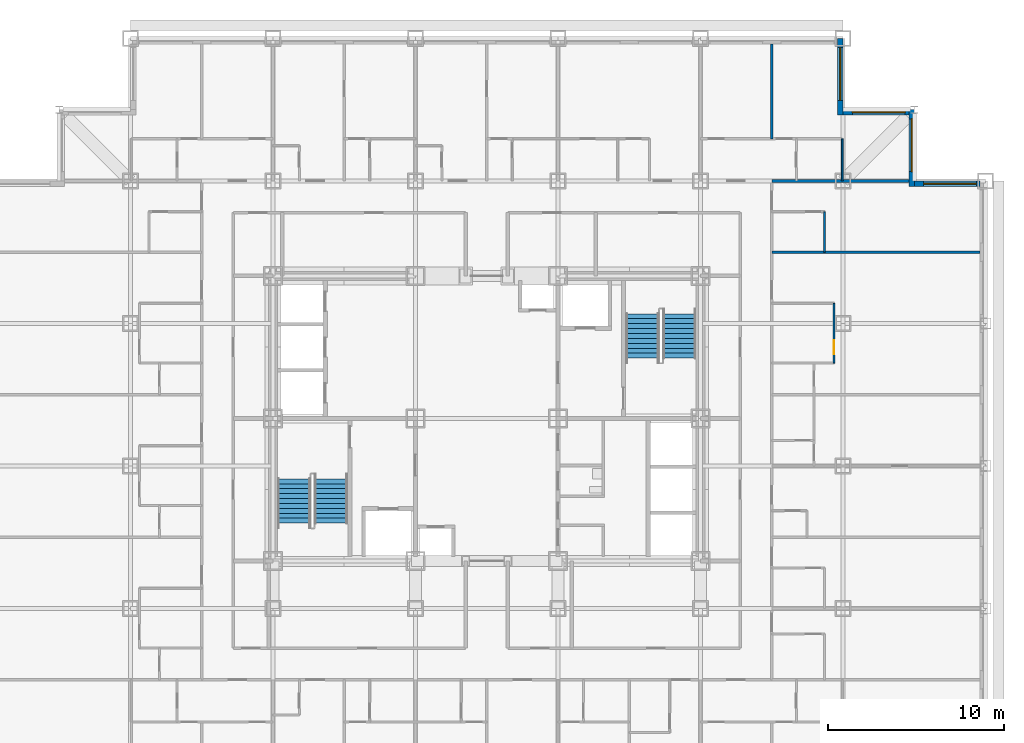
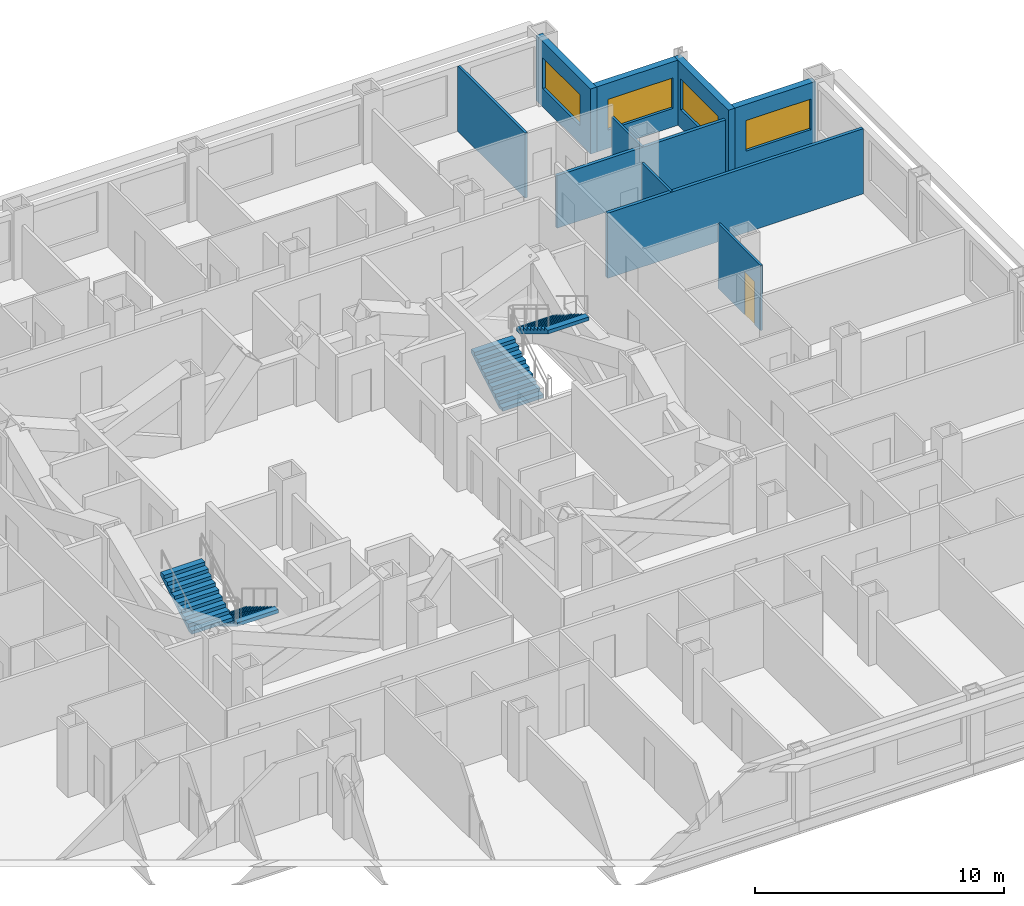
# One storey, part 11 of 13: 10 walls, 4 stair flights, 4 windows, 1 door, 5 openings, 2 elements without a shape of their own.
"""IFC4 building model written with IfcOpenShell, lengths in metres."""

import ifcopenshell
import ifcopenshell.guid

model = None  # the IFC model being written
_history = None  # IfcOwnerHistory: only IFC2X3 demands one
_inside = {}  # id of a spatial element -> (the spatial element, [elements in it])
_under = {}  # id of a project, library or spatial element -> (it, [spatial elements below it])
_declared = {}  # id of a project -> (the project, [libraries it declares])
_typed = {}  # id of a type object -> (the type object, [elements of that type])
_made_of = {}  # id of a material, layer set ... -> (it, [elements and type objects made of it])


def new_model(schema):
    """Start an empty IFC model of exactly this schema.

    Asked for "IFC4X3", IfcOpenShell would pick the latest addendum, in which some entities
    have other attributes; the version numbers below select the first issue.
    IFC2X3 requires an IfcOwnerHistory on every rooted entity: one is made here for all.
    """
    global model, _history
    if schema == "IFC4X3":
        model = ifcopenshell.file(schema_version=(4, 3, 0, 0))
    else:
        model = ifcopenshell.file(schema=schema)
    _inside.clear()
    _under.clear()
    _declared.clear()
    _typed.clear()
    _made_of.clear()
    _history = None
    if model.schema == "IFC2X3":
        org = make("IfcOrganization", Name="unknown")
        user = make(
            "IfcPersonAndOrganization",
            ThePerson=make("IfcPerson", FamilyName="unknown"),
            TheOrganization=org,
        )
        app = make(
            "IfcApplication",
            ApplicationDeveloper=org,
            Version="unknown",
            ApplicationFullName="unknown",
            ApplicationIdentifier="unknown",
        )
        _history = make(
            "IfcOwnerHistory",
            OwningUser=user,
            OwningApplication=app,
            ChangeAction="ADDED",
            CreationDate=0,
        )
    return model


def make(cls, **values):
    """One entity of the class cls with the attributes given. An attribute that is None is left unset."""
    return model.create_entity(
        cls, **{name: value for name, value in values.items() if value is not None}
    )


def rooted(cls, **values):
    """An entity with a GlobalId (a new one), such as an element, a storey or a relation."""
    return make(cls, GlobalId=ifcopenshell.guid.new(), OwnerHistory=_history, **values)


def si_unit(unit_type, name, prefix=None):
    """IfcSIUnit, for example si_unit("LENGTHUNIT", "METRE", prefix="MILLI")."""
    return make("IfcSIUnit", UnitType=unit_type, Prefix=prefix, Name=name)


def assignment(units):
    """IfcUnitAssignment: the units of a project."""
    return None if units is None else make("IfcUnitAssignment", Units=units)


def point(xyz):
    """IfcCartesianPoint."""
    return None if xyz is None else make("IfcCartesianPoint", Coordinates=xyz)


def direction(xyz):
    """IfcDirection."""
    return None if xyz is None else make("IfcDirection", DirectionRatios=xyz)


def frame(location, z_axis=None, x_axis=None):
    """IfcAxis2Placement3D, a coordinate frame: its origin and axes. An axis left out is left unset."""
    return make(
        "IfcAxis2Placement3D",
        Location=point(location),
        Axis=direction(z_axis),
        RefDirection=direction(x_axis),
    )


def frame_2d(location, x_axis=None):
    """IfcAxis2Placement2D, a coordinate frame in the plane: its origin and x axis."""
    return make(
        "IfcAxis2Placement2D", Location=point(location), RefDirection=direction(x_axis)
    )


def origin():
    """The frame at (0, 0, 0) with its axes left unset."""
    return frame((0.0, 0.0, 0.0))


def place(relative_to, where):
    """IfcLocalPlacement: puts the frame where relative to a parent placement (None: the world)."""
    return make(
        "IfcLocalPlacement", PlacementRelTo=relative_to, RelativePlacement=where
    )


def context(
    kind, dimensions, precision=None, world=None, true_north=None, identifier=None
):
    """IfcGeometricRepresentationContext, for example the 3D "Model" context."""
    return make(
        "IfcGeometricRepresentationContext",
        ContextIdentifier=identifier,
        ContextType=kind,
        CoordinateSpaceDimension=dimensions,
        Precision=precision,
        WorldCoordinateSystem=world,
        TrueNorth=true_north,
    )


def subcontext(parent, identifier, kind, view, scale=None):
    """IfcGeometricRepresentationSubContext, for example "Body" below "Model"."""
    return make(
        "IfcGeometricRepresentationSubContext",
        ContextIdentifier=identifier,
        ContextType=kind,
        ParentContext=parent,
        TargetScale=scale,
        TargetView=view,
    )


def project(units=None, contexts=None):
    """IfcProject with its units and contexts."""
    return rooted(
        "IfcProject",
        Name="project",
        RepresentationContexts=contexts,
        UnitsInContext=assignment(units),
    )


def spatial(cls, under=None, at=None, **own):
    """A site, building, storey or space (cls), placed at a placement, below another one or the project."""
    s = rooted(cls, ObjectPlacement=at, **own)
    if under is not None:
        _under.setdefault(under.id(), (under, []))[1].append(s)
    return s


def point_list(points):
    """IfcCartesianPointList2D or 3D."""
    cls = (
        "IfcCartesianPointList2D" if len(points[0]) == 2 else "IfcCartesianPointList3D"
    )
    return make(cls, CoordList=points)


def profile(cls, at=None, kind="AREA", **sizes):
    """A parametric profile (cls). Its sizes go by their IFC names, for example OverallWidth=200.0."""
    return make(cls, ProfileType=kind, Position=at, **sizes)


def rectangle(**sizes):
    """IfcRectangleProfileDef."""
    return profile("IfcRectangleProfileDef", **sizes)


def extrude(swept, where, along, depth):
    """IfcExtrudedAreaSolid: the profile swept, set in the frame where, extruded along a direction by depth."""
    return make(
        "IfcExtrudedAreaSolid",
        SweptArea=swept,
        Position=where,
        ExtrudedDirection=direction(along),
        Depth=depth,
    )


def polygons(points, faces, closed=None, point_numbers=None):
    """IfcPolygonalFaceSet: a face is its outer loop, then its inner loops; points numbered from 1."""
    made = []
    for loops in faces:
        if len(loops) == 1:
            made.append(make("IfcIndexedPolygonalFace", CoordIndex=loops[0]))
        else:
            made.append(
                make(
                    "IfcIndexedPolygonalFaceWithVoids",
                    CoordIndex=loops[0],
                    InnerCoordIndices=loops[1:],
                )
            )
    return make(
        "IfcPolygonalFaceSet",
        Coordinates=point_list(points),
        Closed=closed,
        Faces=made,
        PnIndex=point_numbers,
    )


def shape(context_of_items, identifier, shape_type, items):
    """IfcShapeRepresentation: the items that make up one representation, for example the "Body"."""
    return make(
        "IfcShapeRepresentation",
        ContextOfItems=context_of_items,
        RepresentationIdentifier=identifier,
        RepresentationType=shape_type,
        Items=items,
    )


def source(mapping_origin, context_of_items, identifier, shape_type, items):
    """IfcRepresentationMap: a shape defined once, which mapped items show again and again."""
    return make(
        "IfcRepresentationMap",
        MappingOrigin=mapping_origin,
        MappedRepresentation=shape(context_of_items, identifier, shape_type, items),
    )


def transform(
    local_origin,
    x_axis=None,
    y_axis=None,
    z_axis=None,
    scale=None,
    scale2=None,
    scale3=None,
    uniform=True,
):
    """IfcCartesianTransformationOperator3D, or its non-uniform kind. x_axis, y_axis, z_axis: its Axis1, 2, 3."""
    if uniform:
        return make(
            "IfcCartesianTransformationOperator3D",
            Axis1=direction(x_axis),
            Axis2=direction(y_axis),
            LocalOrigin=point(local_origin),
            Scale=scale,
            Axis3=direction(z_axis),
        )
    return make(
        "IfcCartesianTransformationOperator3DnonUniform",
        Axis1=direction(x_axis),
        Axis2=direction(y_axis),
        LocalOrigin=point(local_origin),
        Scale=scale,
        Axis3=direction(z_axis),
        Scale2=scale2,
        Scale3=scale3,
    )


def mapped(mapping_source, mapping_target):
    """IfcMappedItem: shows the shape of a source again, moved by a transform."""
    return make(
        "IfcMappedItem", MappingSource=mapping_source, MappingTarget=mapping_target
    )


def material(Name=None, Category=None):
    """IfcMaterial."""
    return make("IfcMaterial", Name=Name, Category=Category)


def layer(
    of_material, thickness, ventilated=None, Name=None, Category=None, Priority=None
):
    """IfcMaterialLayer: one layer of a wall or slab, of a material (None: an air gap)."""
    return make(
        "IfcMaterialLayer",
        Material=of_material,
        LayerThickness=thickness,
        IsVentilated=ventilated,
        Name=Name,
        Category=Category,
        Priority=Priority,
    )


def layer_set(layers, Name=None):
    """IfcMaterialLayerSet."""
    return make("IfcMaterialLayerSet", MaterialLayers=layers, LayerSetName=Name)


def made_of(thing, what):
    """Note that an element or type object is made of a material, layer set ...; save() writes the relation."""
    if what is not None:
        _made_of.setdefault(what.id(), (what, []))[1].append(thing)
    return thing


def type_object(cls, material=None, **own):
    """A type object (cls), such as IfcWallType, which elements share."""
    return made_of(rooted(cls, **own), material)


def element(
    cls,
    number,
    at=None,
    inside=None,
    cuts=None,
    type_object=None,
    material=None,
    context=None,
    identifier="Body",
    shape_type=None,
    held_by="IfcProductDefinitionShape",
    body=None,
    shapes=None,
    **own,
):
    """One element of the class cls, such as IfcWall. Its Tag is "e" and its number.

    at: its placement. inside: the storey or other place that contains it. cuts: it is an
    opening in that element (IfcRelVoidsElement). A single representation is given by context,
    identifier, shape_type and body (its items); several are given by shapes. held_by: the class
    of the entity that holds the representations. save() writes the other relations.
    """
    e = rooted(cls, Tag="e%d" % number, ObjectPlacement=at, **own)
    if body is not None:
        shapes = [shape(context, identifier, shape_type, body)]
    if shapes is not None:
        e.Representation = make(held_by, Representations=shapes)
    if inside is not None:
        _inside.setdefault(inside.id(), (inside, []))[1].append(e)
    if cuts is not None:
        rooted(
            "IfcRelVoidsElement", RelatingBuildingElement=cuts, RelatedOpeningElement=e
        )
    if type_object is not None:
        _typed.setdefault(type_object.id(), (type_object, []))[1].append(e)
    return made_of(e, material)


def fill(opening, filler):
    """IfcRelFillsElement: the door or window that sits in an opening."""
    return rooted(
        "IfcRelFillsElement",
        RelatingOpeningElement=opening,
        RelatedBuildingElement=filler,
    )


def aggregate(whole, parts):
    """IfcRelAggregates: a whole, such as a stair, and the parts it consists of."""
    return rooted("IfcRelAggregates", RelatingObject=whole, RelatedObjects=parts)


def save(model, path):
    """Write the relations noted so far, then the file.

    IfcRelAggregates (storeys below a building ...), IfcRelContainedInSpatialStructure (elements
    in a storey), IfcRelDefinesByType, IfcRelAssociatesMaterial and IfcRelDeclares: one each for
    every whole, place, type object, material and project.
    """
    for whole, parts in _under.values():
        aggregate(whole, parts)
    for where, things in _inside.values():
        rooted(
            "IfcRelContainedInSpatialStructure",
            RelatedElements=things,
            RelatingStructure=where,
        )
    for kind, things in _typed.values():
        rooted("IfcRelDefinesByType", RelatedObjects=things, RelatingType=kind)
    for what, things in _made_of.values():
        rooted("IfcRelAssociatesMaterial", RelatedObjects=things, RelatingMaterial=what)
    for by, libraries in _declared.values():
        rooted("IfcRelDeclares", RelatingContext=by, RelatedDefinitions=libraries)
    model.write(path)


model = new_model("IFC4")

# Units and contexts
model_context = context("Model", 3, precision=1e-05, world=origin(), true_north=direction((0.0, 1.0)))
body_context = subcontext(model_context, "Body", "Model", "MODEL_VIEW")
ifc_project = project(units=[si_unit("LENGTHUNIT", "METRE"), si_unit("AREAUNIT", "SQUARE_METRE"), si_unit("VOLUMEUNIT", "CUBIC_METRE"), si_unit("PLANEANGLEUNIT", "RADIAN"), si_unit("MASSUNIT", "GRAM", prefix="KILO")], contexts=[model_context])

# Site, building, storey
site_placement = place(None, origin())
site = spatial("IfcSite", under=ifc_project, at=site_placement, CompositionType="ELEMENT")
building_placement = place(site_placement, origin())
building = spatial("IfcBuilding", under=site, at=building_placement, Name="Kopane Lantern Tower", CompositionType="ELEMENT")
storey_placement = place(building_placement, frame((0.0, 0.0, 113.60009765625)))
storey = spatial("IfcBuildingStorey", under=building, at=storey_placement, Name="L28", CompositionType="ELEMENT", Elevation=113.60009765625)

# Wall
ifc_material_1 = material(Name="Gypsum board on steel studs", Category="steel")
ifc_layer_1 = layer(ifc_material_1, 0.1201171875)
ifc_layer_set_1 = layer_set([ifc_layer_1], Name="APARTMENT INTERNAL WALL 120")
wall_type_1 = type_object("IfcWallType", Name="APARTMENT INTERNAL WALL 120", PredefinedType="PARTITIONING", material=ifc_layer_set_1)
wall_1_placement = place(storey_placement, frame((44.550048828125, 48.300048828125, 0.0), z_axis=(0.0, 0.0, 1.0), x_axis=(0.0, 1.0, 0.0)))
element("IfcWall", 1, at=wall_1_placement, inside=storey, type_object=wall_type_1, Name="Apartment Internal Wall 120 L28", PredefinedType="PARTITIONING", context=body_context, shape_type="SweptSolid", body=[
    extrude(rectangle(XDim=5.39990234375, YDim=0.1201171875, at=frame_2d((2.699951171875, 0.0))), origin(), (0.0, 0.0, 1.0), 3.18994140625),
])

# Wall, opening, door
ifc_material_2 = material(Name="Moisture-resistant board on steel studs", Category="steel")
ifc_layer_2 = layer(ifc_material_2, 0.10009765625)
ifc_layer_set_2 = layer_set([ifc_layer_2], Name="BATHROOM WALL 100")
wall_type_2 = type_object("IfcWallType", Name="BATHROOM WALL 100", PredefinedType="PARTITIONING", material=ifc_layer_set_2)
wall_2_placement = place(storey_placement, frame((48.090087890625, 35.550048828125, 0.0), z_axis=(0.0, 0.0, 1.0), x_axis=(0.0, 1.0, 0.0)))
wall_2 = element("IfcWall", 2, at=wall_2_placement, inside=storey, type_object=wall_type_2, Name="Bathroom Wall 100 L28", PredefinedType="PARTITIONING", context=body_context, shape_type="SweptSolid", body=[
    extrude(rectangle(XDim=3.39990234375, YDim=0.10009765625, at=frame_2d((1.699951171875, 0.0))), origin(), (0.0, 0.0, 1.0), 3.18994140625),
])
opening_1_placement = place(wall_2_placement, frame((0.5, 0.0, 0.0)))
opening_1 = element("IfcOpeningElement", 3, at=opening_1_placement, cuts=wall_2, Name="Opening L28-054", PredefinedType="OPENING", context=body_context, shape_type="SweptSolid", body=[
    extrude(rectangle(XDim=0.800048828125, YDim=2.10009765625, at=frame_2d((0.39990234375, 1.050048828125))), frame((0.0, 0.06005859375, 0.0), z_axis=(0.0, -1.0, 0.0), x_axis=(1.0, 0.0, 0.0)), (0.0, 0.0, 1.0), 0.1201171875),
])
ifc_material_3 = material(Name="Timber door set", Category="wood")
door_type = type_object("IfcDoorType", Name="DOOR D2 800x2100", OperationType="SINGLE_SWING_LEFT", PredefinedType="DOOR", material=ifc_material_3)
door_placement = place(opening_1_placement, origin())
door = element("IfcDoor", 4, at=door_placement, inside=storey, type_object=door_type, Name="Door L28-054", OperationType="SINGLE_SWING_LEFT", OverallHeight=2.10009765625, OverallWidth=0.800048828125, PredefinedType="DOOR", context=body_context, shape_type="SweptSolid", body=[
    extrude(rectangle(XDim=0.800048828125, YDim=2.10009765625, at=frame_2d((0.39990234375, 1.050048828125))), frame((0.0, 0.02490234375, 0.0), z_axis=(0.0, -1.0, 0.0), x_axis=(1.0, 0.0, 0.0)), (0.0, 0.0, 1.0), 0.050048828125),
])
fill(opening_1, door)

# Walls
wall_3_placement = place(storey_placement, frame((47.550048828125, 41.85009765625, 0.0), z_axis=(0.0, 0.0, 1.0), x_axis=(0.0, 1.0, 0.0)))
element("IfcWall", 5, at=wall_3_placement, inside=storey, type_object=wall_type_2, Name="Bathroom Wall 100 L28", PredefinedType="PARTITIONING", context=body_context, shape_type="SweptSolid", body=[
    extrude(rectangle(XDim=2.2998046875, YDim=0.10009765625, at=frame_2d((1.14990234375, 0.0))), origin(), (0.0, 0.0, 1.0), 3.18994140625),
])
wall_4_placement = place(storey_placement, frame((48.550048828125, 45.89990234375, 0.0), z_axis=(0.0, 0.0, 1.0), x_axis=(0.0, 1.0, 0.0)))
element("IfcWall", 6, at=wall_4_placement, inside=storey, type_object=wall_type_2, Name="Bathroom Wall 100 L28", PredefinedType="PARTITIONING", context=body_context, shape_type="SweptSolid", body=[
    extrude(rectangle(XDim=2.400146484375, YDim=0.10009765625, at=frame_2d((1.2001953125, 0.0))), origin(), (0.0, 0.0, 1.0), 2.57763671875),
])
ifc_material_4 = material(Name="Gypsum board on steel studs", Category="steel")
ifc_layer_3 = layer(ifc_material_4, 0.14990234375)
ifc_layer_set_3 = layer_set([ifc_layer_3], Name="DEMISING WALL 150 EI 60")
wall_type_3 = type_object("IfcWallType", Name="DEMISING WALL 150 EI 60", PredefinedType="PARTITIONING", material=ifc_layer_set_3)
wall_5_placement = place(storey_placement, frame((44.550048828125, 41.85009765625, 0.0), z_axis=(0.0, 0.0, 1.0), x_axis=(1.0, 0.0, 0.0)))
element("IfcWall", 7, at=wall_5_placement, inside=storey, type_object=wall_type_3, Name="Demising Wall 150 Ei 60 L28", PredefinedType="PARTITIONING", context=body_context, shape_type="SweptSolid", body=[
    extrude(rectangle(XDim=11.849853515625, YDim=0.14990234375, at=frame_2d((5.9248046875, 0.0))), origin(), (0.0, 0.0, 1.0), 3.18994140625),
])
wall_6_placement = place(storey_placement, frame((44.550048828125, 45.89990234375, 0.0), z_axis=(0.0, 0.0, 1.0), x_axis=(1.0, 0.0, 0.0)))
element("IfcWall", 8, at=wall_6_placement, inside=storey, type_object=wall_type_3, Name="Demising Wall 150 Ei 60 L28", PredefinedType="PARTITIONING", context=body_context, shape_type="SweptSolid", body=[
    extrude(rectangle(XDim=7.800048828125, YDim=0.14990234375, at=frame_2d((3.89990234375, 0.0))), origin(), (0.0, 0.0, 1.0), 2.57763671875),
])

# Wall, opening, window
ifc_material_5 = material(Name="Terracotta rainscreen on light steel framing", Category="masonry")
ifc_layer_4 = layer(ifc_material_5, 0.300048828125)
ifc_layer_set_4 = layer_set([ifc_layer_4], Name="EXTERNAL WALL EW1 300 TERRACOTTA")
wall_type_4 = type_object("IfcWallType", Name="EXTERNAL WALL EW1 300 TERRACOTTA", PredefinedType="SOLIDWALL", material=ifc_layer_set_4)
wall_7_placement = place(storey_placement, frame((56.39990234375, 45.75, 0.0), z_axis=(0.0, 0.0, 1.0), x_axis=(-1.0, 0.0, 0.0)))
wall_7 = element("IfcWall", 9, at=wall_7_placement, inside=storey, type_object=wall_type_4, Name="External wall N L28", PredefinedType="SOLIDWALL", context=body_context, shape_type="SweptSolid", body=[
    extrude(rectangle(XDim=3.75, YDim=0.300048828125, at=frame_2d((1.875, 0.0))), origin(), (0.0, 0.0, 1.0), 3.18994140625),
])
opening_2_placement = place(wall_7_placement, frame((0.22509765625, 0.0, 0.89990234375)))
opening_2 = element("IfcOpeningElement", 10, at=opening_2_placement, cuts=wall_7, Name="Opening WR300150", PredefinedType="OPENING", context=body_context, shape_type="SweptSolid", body=[
    extrude(rectangle(XDim=3.0, YDim=1.5, at=frame_2d((1.5, 0.75))), frame((0.0, 0.159912109375, 0.0), z_axis=(0.0, -1.0, 0.0), x_axis=(1.0, 0.0, 0.0)), (0.0, 0.0, 1.0), 0.320068359375),
])
ifc_material_6 = material(Name="Aluminium and clear glass", Category="aluminium")
window_type = type_object("IfcWindowType", Name="RIBBON WINDOW WR300150 3000x1500", PartitioningType="SINGLE_PANEL", PredefinedType="WINDOW", material=ifc_material_6)
window_1_placement = place(opening_2_placement, origin())
window_1 = element("IfcWindow", 11, at=window_1_placement, inside=storey, type_object=window_type, Name="Window N L28", OverallHeight=1.5, OverallWidth=3.0, PartitioningType="SINGLE_PANEL", PredefinedType="WINDOW", context=body_context, shape_type="SweptSolid", body=[
    extrude(rectangle(XDim=3.0, YDim=1.5, at=frame_2d((1.5, 0.75))), frame((0.0, 0.030029296875, 0.0), z_axis=(0.0, -1.0, 0.0), x_axis=(1.0, 0.0, 0.0)), (0.0, 0.0, 1.0), 0.06005859375),
])
fill(opening_2, window_1)

wall_8_placement = place(storey_placement, frame((52.5, 45.60009765625, 0.0), z_axis=(0.0, 0.0, 1.0), x_axis=(0.0, 1.0, 0.0)))
wall_8 = element("IfcWall", 12, at=wall_8_placement, inside=storey, type_object=wall_type_4, Name="External wall E L28", PredefinedType="SOLIDWALL", context=body_context, shape_type="SweptSolid", body=[
    extrude(rectangle(XDim=4.349853515625, YDim=0.300048828125, at=frame_2d((2.1748046875, 0.0))), origin(), (0.0, 0.0, 1.0), 3.18994140625),
])
opening_3_placement = place(wall_8_placement, frame((0.824951171875, 0.0, 0.89990234375)))
opening_3 = element("IfcOpeningElement", 13, at=opening_3_placement, cuts=wall_8, Name="Opening WR300150", PredefinedType="OPENING", context=body_context, shape_type="SweptSolid", body=[
    extrude(rectangle(XDim=3.0, YDim=1.5, at=frame_2d((1.5, 0.75))), frame((0.0, 0.159912109375, 0.0), z_axis=(0.0, -1.0, 0.0), x_axis=(1.0, 0.0, 0.0)), (0.0, 0.0, 1.0), 0.320068359375),
])
window_2_placement = place(opening_3_placement, origin())
window_2 = element("IfcWindow", 14, at=window_2_placement, inside=storey, type_object=window_type, Name="Window E L28", OverallHeight=1.5, OverallWidth=3.0, PartitioningType="SINGLE_PANEL", PredefinedType="WINDOW", context=body_context, shape_type="SweptSolid", body=[
    extrude(rectangle(XDim=3.0, YDim=1.5, at=frame_2d((1.5, 0.75))), frame((0.0, 0.030029296875, 0.0), z_axis=(0.0, -1.0, 0.0), x_axis=(1.0, 0.0, 0.0)), (0.0, 0.0, 1.0), 0.06005859375),
])
fill(opening_3, window_2)

wall_9_placement = place(storey_placement, frame((52.35009765625, 49.800048828125, 0.0), z_axis=(0.0, 0.0, 1.0), x_axis=(-1.0, 0.0, 0.0)))
wall_9 = element("IfcWall", 15, at=wall_9_placement, inside=storey, type_object=wall_type_4, Name="External wall N L28", PredefinedType="SOLIDWALL", context=body_context, shape_type="SweptSolid", body=[
    extrude(rectangle(XDim=3.75, YDim=0.300048828125, at=frame_2d((1.875, 0.0))), origin(), (0.0, 0.0, 1.0), 3.18994140625),
])
opening_4_placement = place(wall_9_placement, frame((0.22509765625, 0.0, 0.89990234375)))
opening_4 = element("IfcOpeningElement", 16, at=opening_4_placement, cuts=wall_9, Name="Opening WR300150", PredefinedType="OPENING", context=body_context, shape_type="SweptSolid", body=[
    extrude(rectangle(XDim=3.0, YDim=1.5, at=frame_2d((1.5, 0.75))), frame((0.0, 0.159912109375, 0.0), z_axis=(0.0, -1.0, 0.0), x_axis=(1.0, 0.0, 0.0)), (0.0, 0.0, 1.0), 0.320068359375),
])
window_3_placement = place(opening_4_placement, origin())
window_3 = element("IfcWindow", 17, at=window_3_placement, inside=storey, type_object=window_type, Name="Window N L28", OverallHeight=1.5, OverallWidth=3.0, PartitioningType="SINGLE_PANEL", PredefinedType="WINDOW", context=body_context, shape_type="SweptSolid", body=[
    extrude(rectangle(XDim=3.0, YDim=1.5, at=frame_2d((1.5, 0.75))), frame((0.0, 0.030029296875, 0.0), z_axis=(0.0, -1.0, 0.0), x_axis=(1.0, 0.0, 0.0)), (0.0, 0.0, 1.0), 0.06005859375),
])
fill(opening_4, window_3)

wall_10_placement = place(storey_placement, frame((48.449951171875, 49.64990234375, 0.0), z_axis=(0.0, 0.0, 1.0), x_axis=(0.0, 1.0, 0.0)))
wall_10 = element("IfcWall", 18, at=wall_10_placement, inside=storey, type_object=wall_type_4, Name="External wall E L28", PredefinedType="SOLIDWALL", context=body_context, shape_type="SweptSolid", body=[
    extrude(rectangle(XDim=4.35009765625, YDim=0.300048828125, at=frame_2d((2.175048828125, 0.0))), origin(), (0.0, 0.0, 1.0), 3.18994140625),
])
opening_5_placement = place(wall_10_placement, frame((0.824951171875, 0.0, 0.89990234375)))
opening_5 = element("IfcOpeningElement", 19, at=opening_5_placement, cuts=wall_10, Name="Opening WR300150", PredefinedType="OPENING", context=body_context, shape_type="SweptSolid", body=[
    extrude(rectangle(XDim=3.0, YDim=1.5, at=frame_2d((1.5, 0.75))), frame((0.0, 0.159912109375, 0.0), z_axis=(0.0, -1.0, 0.0), x_axis=(1.0, 0.0, 0.0)), (0.0, 0.0, 1.0), 0.320068359375),
])
window_4_placement = place(opening_5_placement, origin())
window_4 = element("IfcWindow", 20, at=window_4_placement, inside=storey, type_object=window_type, Name="Window E L28", OverallHeight=1.5, OverallWidth=3.0, PartitioningType="SINGLE_PANEL", PredefinedType="WINDOW", context=body_context, shape_type="SweptSolid", body=[
    extrude(rectangle(XDim=3.0, YDim=1.5, at=frame_2d((1.5, 0.75))), frame((0.0, 0.030029296875, 0.0), z_axis=(0.0, -1.0, 0.0), x_axis=(1.0, 0.0, 0.0)), (0.0, 0.0, 1.0), 0.06005859375),
])
fill(opening_5, window_4)

# Stair, stair flights
ifc_material_7 = material(Name="Steel S355JR", Category="steel")
stair_type = type_object("IfcStairType", Name="EXIT STAIR 1900 HALF TURN", PredefinedType="HALF_TURN_STAIR", material=ifc_material_7)
stair_1_placement = place(storey_placement, origin())
stair_1 = element("IfcStair", 21, at=stair_1_placement, inside=storey, type_object=stair_type, Name="Exit stair ST1 L28", PredefinedType="HALF_TURN_STAIR")
ifc_material_8 = material(Name="Steel S355JR", Category="steel")
stair_flight_type = type_object("IfcStairFlightType", Name="STAIR FLIGHT 1900 STEEL", PredefinedType="STRAIGHT", material=ifc_material_8)
shared_shape = source(origin(), body_context, "Body", "Tessellation", [
    polygons([(2.520019531, 0.949951172, 1.530029297), (2.239990234, 0.949951172, 1.530029297), (2.239990234, -0.949951172, 1.530029297), (2.520019531, -0.949951172, 1.530029297), (0.288818359, 0.949951172, 0.0), (2.520019531, 0.949951172, 1.354736328), (2.520019531, -0.949951172, 1.354736328), (0.288818359, -0.949951172, 0.0), (0.0, 0.949951172, 0.0), (0.0, -0.949951172, 0.0), (0.280029297, 0.949951172, 0.169921875), (0.0, 0.949951172, 0.169921875), (0.0, -0.949951172, 0.169921875), (0.280029297, -0.949951172, 0.169921875), (0.280029297, 0.949951172, 0.340087891), (0.280029297, -0.949951172, 0.340087891), (0.560058594, 0.949951172, 0.340087891), (0.560058594, -0.949951172, 0.340087891), (0.560058594, 0.949951172, 0.510009766), (0.560058594, -0.949951172, 0.510009766), (0.840087891, 0.949951172, 0.510009766), (0.840087891, -0.949951172, 0.510009766), (0.840087891, 0.949951172, 0.679931641), (0.840087891, -0.949951172, 0.679931641), (1.120117188, 0.949951172, 0.679931641), (1.120117188, -0.949951172, 0.679931641), (1.120117188, 0.949951172, 0.850097656), (1.120117188, -0.949951172, 0.850097656), (1.399902344, 0.949951172, 0.850097656), (1.399902344, -0.949951172, 0.850097656), (1.399902344, 0.949951172, 1.020019531), (1.399902344, -0.949951172, 1.020019531), (1.679931641, 0.949951172, 1.020019531), (1.679931641, -0.949951172, 1.020019531), (1.679931641, 0.949951172, 1.189941406), (1.679931641, -0.949951172, 1.189941406), (1.959960938, 0.949951172, 1.189941406), (1.959960938, -0.949951172, 1.189941406), (1.959960938, 0.949951172, 1.360107422), (1.959960938, -0.949951172, 1.360107422), (2.239990234, 0.949951172, 1.360107422), (2.239990234, -0.949951172, 1.360107422), (0.0, 0.0, 0.004592483), (0.0, 0.0, 0.009184966), (0.0, 0.0, 0.013777449), (0.0, 0.0, 0.018369932), (0.0, 0.0, 0.022962416), (0.0, 0.0, 0.027554899), (0.0, 0.0, 0.032147382), (0.0, 0.0, 0.036739865), (0.0, 0.0, 0.041332348), (0.0, 0.0, 0.045924831), (0.0, 0.0, 0.050517314), (0.0, 0.0, 0.055109797), (0.0, 0.0, 0.05970228), (0.0, 0.0, 0.064294764), (0.0, 0.0, 0.068887247), (0.0, 0.0, 0.07347973), (0.0, 0.0, 0.078072213), (0.0, 0.0, 0.082664696), (0.0, 0.0, 0.087257179), (0.0, 0.0, 0.091849662), (0.0, 0.0, 0.096442145), (0.0, 0.0, 0.101034628), (0.0, 0.0, 0.105627111), (0.0, 0.0, 0.110219595), (0.0, 0.0, 0.114812078), (0.0, 0.0, 0.119404561), (0.0, 0.0, 0.123997044), (0.0, 0.0, 0.128589527), (0.0, 0.0, 0.13318201), (0.0, 0.0, 0.137774493), (0.0, 0.0, 0.142366976), (0.0, 0.0, 0.146959459), (0.0, 0.0, 0.151551943), (0.0, 0.0, 0.156144426), (0.0, 0.0, 0.160736909), (0.0, 0.0, 0.165329392), (2.520019531, 0.0, 1.359473976), (2.520019531, 0.0, 1.364211624), (2.520019531, 0.0, 1.368949272), (2.520019531, 0.0, 1.373686919), (2.520019531, 0.0, 1.378424567), (2.520019531, 0.0, 1.383162215), (2.520019531, 0.0, 1.387899863), (2.520019531, 0.0, 1.392637511), (2.520019531, 0.0, 1.397375158), (2.520019531, 0.0, 1.402112806), (2.520019531, 0.0, 1.406850454), (2.520019531, 0.0, 1.411588102), (2.520019531, 0.0, 1.41632575), (2.520019531, 0.0, 1.421063397), (2.520019531, 0.0, 1.425801045), (2.520019531, 0.0, 1.430538693), (2.520019531, 0.0, 1.435276341), (2.520019531, 0.0, 1.440013989), (2.520019531, 0.0, 1.444751636), (2.520019531, 0.0, 1.449489284), (2.520019531, 0.0, 1.454226932), (2.520019531, 0.0, 1.45896458), (2.520019531, 0.0, 1.463702228), (2.520019531, 0.0, 1.468439875), (2.520019531, 0.0, 1.473177523), (2.520019531, 0.0, 1.477915171), (2.520019531, 0.0, 1.482652819), (2.520019531, 0.0, 1.487390467), (2.520019531, 0.0, 1.492128114), (2.520019531, 0.0, 1.496865762), (2.520019531, 0.0, 1.50160341), (2.520019531, 0.0, 1.506341058), (2.520019531, 0.0, 1.511078706), (2.520019531, 0.0, 1.515816353), (2.520019531, 0.0, 1.520554001), (2.520019531, 0.0, 1.525291649)], [[[1, 2, 3]], [[1, 3, 4]], [[5, 6, 7]], [[5, 7, 8]], [[9, 5, 8]], [[9, 8, 10]], [[11, 12, 13]], [[11, 13, 14]], [[15, 11, 14]], [[15, 14, 16]], [[17, 15, 16]], [[17, 16, 18]], [[19, 17, 18]], [[19, 18, 20]], [[21, 19, 20]], [[21, 20, 22]], [[23, 21, 22]], [[23, 22, 24]], [[25, 23, 24]], [[25, 24, 26]], [[27, 25, 26]], [[27, 26, 28]], [[29, 27, 28]], [[29, 28, 30]], [[31, 29, 30]], [[31, 30, 32]], [[33, 31, 32]], [[33, 32, 34]], [[35, 33, 34]], [[35, 34, 36]], [[37, 35, 36]], [[37, 36, 38]], [[39, 37, 38]], [[39, 38, 40]], [[41, 39, 40]], [[41, 40, 42]], [[2, 41, 42]], [[2, 42, 3]], [[41, 1, 6]], [[37, 41, 6]], [[2, 1, 41]], [[33, 37, 6]], [[39, 41, 37]], [[35, 37, 33]], [[31, 33, 29]], [[5, 21, 25]], [[27, 29, 25]], [[17, 21, 5]], [[23, 25, 21]], [[11, 17, 5]], [[19, 21, 17]], [[9, 11, 5]], [[15, 17, 11]], [[12, 11, 9]], [[6, 5, 25]], [[6, 25, 29]], [[6, 29, 33]], [[7, 4, 42]], [[7, 42, 38]], [[42, 4, 3]], [[7, 38, 34]], [[38, 42, 40]], [[34, 38, 36]], [[30, 34, 32]], [[26, 22, 8]], [[26, 30, 28]], [[8, 22, 18]], [[22, 26, 24]], [[8, 18, 14]], [[18, 22, 20]], [[8, 14, 10]], [[14, 18, 16]], [[10, 14, 13]], [[26, 8, 7]], [[30, 26, 7]], [[34, 30, 7]], [[10, 43, 9]], [[10, 44, 43]], [[9, 43, 44]], [[10, 45, 44]], [[9, 44, 45]], [[10, 46, 45]], [[9, 45, 46]], [[10, 47, 46]], [[9, 46, 47]], [[10, 48, 47]], [[9, 47, 48]], [[10, 49, 48]], [[9, 48, 49]], [[10, 50, 49]], [[9, 49, 50]], [[10, 51, 50]], [[9, 50, 51]], [[10, 52, 51]], [[9, 51, 52]], [[10, 53, 52]], [[9, 52, 53]], [[10, 54, 53]], [[9, 53, 54]], [[10, 55, 54]], [[9, 54, 55]], [[10, 56, 55]], [[9, 55, 56]], [[10, 57, 56]], [[9, 56, 57]], [[10, 58, 57]], [[9, 57, 58]], [[10, 59, 58]], [[9, 58, 59]], [[10, 60, 59]], [[9, 59, 60]], [[10, 61, 60]], [[9, 60, 61]], [[10, 62, 61]], [[9, 61, 62]], [[10, 63, 62]], [[9, 62, 63]], [[10, 64, 63]], [[9, 63, 64]], [[10, 65, 64]], [[9, 64, 65]], [[10, 66, 65]], [[9, 65, 66]], [[10, 67, 66]], [[9, 66, 67]], [[10, 68, 67]], [[9, 67, 68]], [[10, 69, 68]], [[9, 68, 69]], [[10, 70, 69]], [[9, 69, 70]], [[10, 71, 70]], [[9, 70, 71]], [[10, 72, 71]], [[9, 71, 72]], [[10, 73, 72]], [[9, 72, 73]], [[10, 74, 73]], [[9, 73, 74]], [[10, 75, 74]], [[9, 74, 75]], [[10, 76, 75]], [[9, 75, 76]], [[10, 77, 76]], [[9, 76, 77]], [[10, 78, 77]], [[9, 77, 78]], [[10, 13, 78]], [[78, 13, 12]], [[9, 78, 12]], [[7, 6, 79]], [[7, 79, 80]], [[6, 80, 79]], [[7, 80, 81]], [[6, 81, 80]], [[7, 81, 82]], [[6, 82, 81]], [[7, 82, 83]], [[6, 83, 82]], [[7, 83, 84]], [[6, 84, 83]], [[7, 84, 85]], [[6, 85, 84]], [[7, 85, 86]], [[6, 86, 85]], [[7, 86, 87]], [[6, 87, 86]], [[7, 87, 88]], [[6, 88, 87]], [[7, 88, 89]], [[6, 89, 88]], [[7, 89, 90]], [[6, 90, 89]], [[7, 90, 91]], [[6, 91, 90]], [[7, 91, 92]], [[6, 92, 91]], [[7, 92, 93]], [[6, 93, 92]], [[7, 93, 94]], [[6, 94, 93]], [[7, 94, 95]], [[6, 95, 94]], [[7, 95, 96]], [[6, 96, 95]], [[7, 96, 97]], [[6, 97, 96]], [[7, 97, 98]], [[6, 98, 97]], [[7, 98, 99]], [[6, 99, 98]], [[7, 99, 100]], [[6, 100, 99]], [[7, 100, 101]], [[6, 101, 100]], [[7, 101, 102]], [[6, 102, 101]], [[7, 102, 103]], [[6, 103, 102]], [[7, 103, 104]], [[6, 104, 103]], [[7, 104, 105]], [[6, 105, 104]], [[7, 105, 106]], [[6, 106, 105]], [[7, 106, 107]], [[6, 107, 106]], [[7, 107, 108]], [[6, 108, 107]], [[7, 108, 109]], [[6, 109, 108]], [[7, 109, 110]], [[6, 110, 109]], [[7, 110, 111]], [[6, 111, 110]], [[7, 111, 112]], [[6, 112, 111]], [[7, 112, 113]], [[6, 113, 112]], [[7, 113, 114]], [[6, 114, 113]], [[7, 114, 4]], [[114, 1, 4]], [[6, 1, 114]]], closed=True),
])
stair_flight_1_placement = place(storey_placement, frame((19.5, 28.969970703125, 0.0), z_axis=(0.0, 0.0, 1.0), x_axis=(0.0, -1.0, 0.0)))
stair_flight_1 = element("IfcStairFlight", 22, at=stair_flight_1_placement, type_object=stair_flight_type, Name="ST1 flight 1", NumberOfRisers=10, NumberOfTreads=9, PredefinedType="STRAIGHT", RiserHeight=0.17, TreadLength=0.28, context=body_context, shape_type="MappedRepresentation", body=[
    mapped(shared_shape, transform((0.0, 0.0, 0.0))),
])
stair_flight_2_placement = place(storey_placement, frame((17.39990234375, 26.449951171875, 1.699951171875), z_axis=(0.0, 0.0, 1.0), x_axis=(0.0, 1.0, 0.0)))
stair_flight_2 = element("IfcStairFlight", 23, at=stair_flight_2_placement, type_object=stair_flight_type, Name="ST1 flight 2", NumberOfRisers=10, NumberOfTreads=9, PredefinedType="STRAIGHT", RiserHeight=0.17, TreadLength=0.28, context=body_context, shape_type="MappedRepresentation", body=[
    mapped(shared_shape, transform((0.0, 0.0, 0.0))),
])
aggregate(stair_1, [stair_flight_1, stair_flight_2])

stair_2_placement = place(storey_placement, origin())
stair_2 = element("IfcStair", 24, at=stair_2_placement, inside=storey, type_object=stair_type, Name="Exit stair ST2 L28", PredefinedType="HALF_TURN_STAIR")
stair_flight_3_placement = place(storey_placement, frame((37.199951171875, 35.830078125, 0.0), z_axis=(0.0, 0.0, 1.0), x_axis=(0.0, 1.0, 0.0)))
stair_flight_3 = element("IfcStairFlight", 25, at=stair_flight_3_placement, type_object=stair_flight_type, Name="ST2 flight 1", NumberOfRisers=10, NumberOfTreads=9, PredefinedType="STRAIGHT", RiserHeight=0.17, TreadLength=0.28, context=body_context, shape_type="MappedRepresentation", body=[
    mapped(shared_shape, transform((0.0, 0.0, 0.0))),
])
stair_flight_4_placement = place(storey_placement, frame((39.300048828125, 38.35009765625, 1.699951171875), z_axis=(0.0, 0.0, 1.0), x_axis=(0.0, -1.0, 0.0)))
stair_flight_4 = element("IfcStairFlight", 26, at=stair_flight_4_placement, type_object=stair_flight_type, Name="ST2 flight 2", NumberOfRisers=10, NumberOfTreads=9, PredefinedType="STRAIGHT", RiserHeight=0.17, TreadLength=0.28, context=body_context, shape_type="MappedRepresentation", body=[
    mapped(shared_shape, transform((0.0, 0.0, 0.0))),
])
aggregate(stair_2, [stair_flight_3, stair_flight_4])

save(model, "model.ifc")
